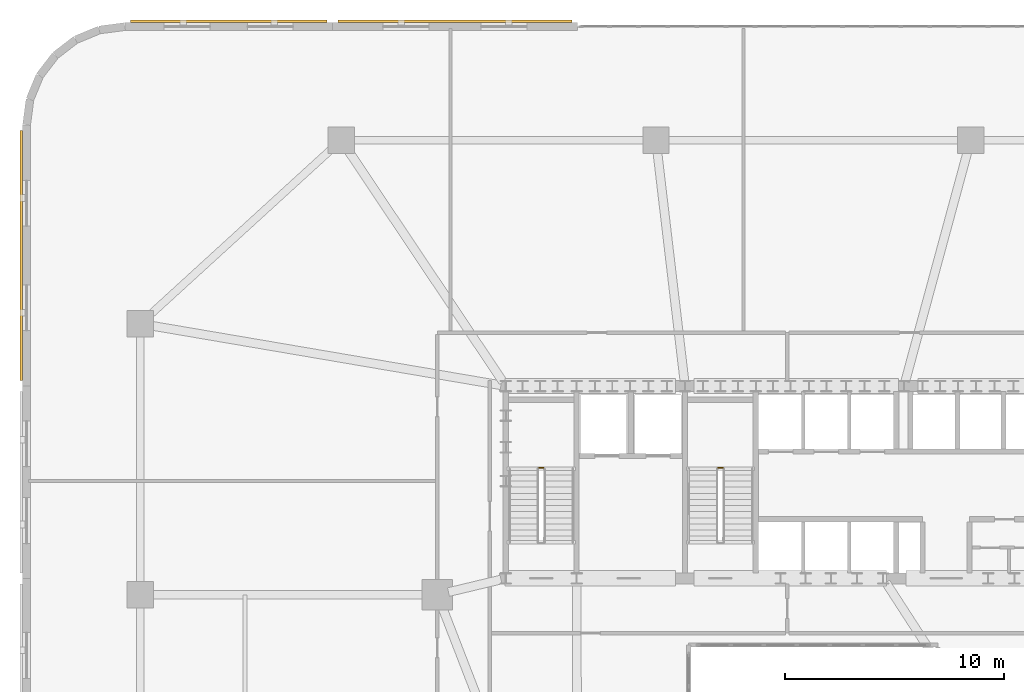
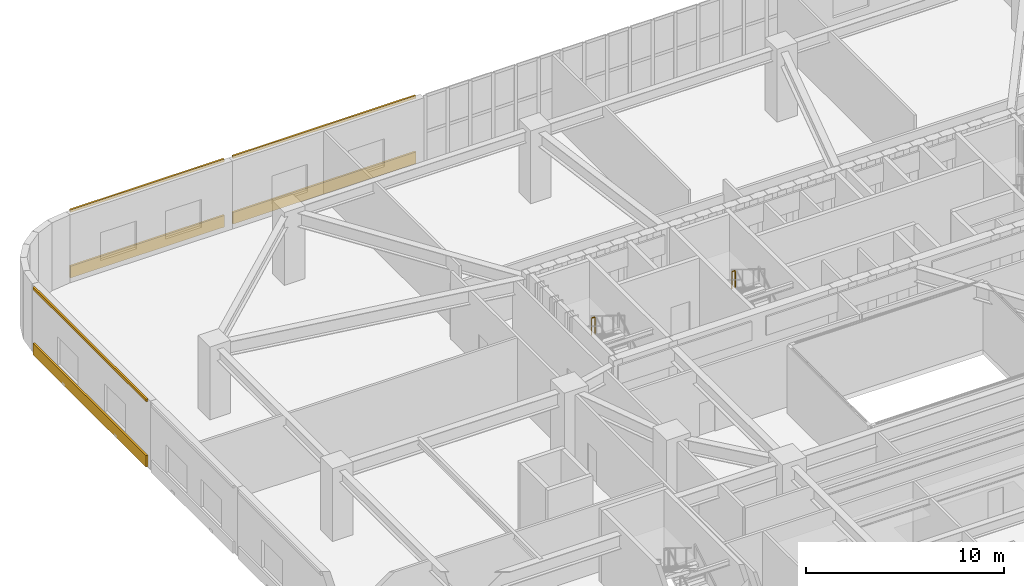
# One storey, part 23 of 25: 6 coverings, 2 railings.
"""IFC4 building model written with IfcOpenShell, lengths in metres."""

import ifcopenshell
import ifcopenshell.guid

model = None  # the IFC model being written
_history = None  # IfcOwnerHistory: only IFC2X3 demands one
_inside = {}  # id of a spatial element -> (the spatial element, [elements in it])
_under = {}  # id of a project, library or spatial element -> (it, [spatial elements below it])
_declared = {}  # id of a project -> (the project, [libraries it declares])
_typed = {}  # id of a type object -> (the type object, [elements of that type])
_made_of = {}  # id of a material, layer set ... -> (it, [elements and type objects made of it])


def new_model(schema):
    """Start an empty IFC model of exactly this schema.

    Asked for "IFC4X3", IfcOpenShell would pick the latest addendum, in which some entities
    have other attributes; the version numbers below select the first issue.
    IFC2X3 requires an IfcOwnerHistory on every rooted entity: one is made here for all.
    """
    global model, _history
    if schema == "IFC4X3":
        model = ifcopenshell.file(schema_version=(4, 3, 0, 0))
    else:
        model = ifcopenshell.file(schema=schema)
    _inside.clear()
    _under.clear()
    _declared.clear()
    _typed.clear()
    _made_of.clear()
    _history = None
    if model.schema == "IFC2X3":
        org = make("IfcOrganization", Name="unknown")
        user = make(
            "IfcPersonAndOrganization",
            ThePerson=make("IfcPerson", FamilyName="unknown"),
            TheOrganization=org,
        )
        app = make(
            "IfcApplication",
            ApplicationDeveloper=org,
            Version="unknown",
            ApplicationFullName="unknown",
            ApplicationIdentifier="unknown",
        )
        _history = make(
            "IfcOwnerHistory",
            OwningUser=user,
            OwningApplication=app,
            ChangeAction="ADDED",
            CreationDate=0,
        )
    return model


def make(cls, **values):
    """One entity of the class cls with the attributes given. An attribute that is None is left unset."""
    return model.create_entity(
        cls, **{name: value for name, value in values.items() if value is not None}
    )


def rooted(cls, **values):
    """An entity with a GlobalId (a new one), such as an element, a storey or a relation."""
    return make(cls, GlobalId=ifcopenshell.guid.new(), OwnerHistory=_history, **values)


def si_unit(unit_type, name, prefix=None):
    """IfcSIUnit, for example si_unit("LENGTHUNIT", "METRE", prefix="MILLI")."""
    return make("IfcSIUnit", UnitType=unit_type, Prefix=prefix, Name=name)


def assignment(units):
    """IfcUnitAssignment: the units of a project."""
    return None if units is None else make("IfcUnitAssignment", Units=units)


def point(xyz):
    """IfcCartesianPoint."""
    return None if xyz is None else make("IfcCartesianPoint", Coordinates=xyz)


def direction(xyz):
    """IfcDirection."""
    return None if xyz is None else make("IfcDirection", DirectionRatios=xyz)


def frame(location, z_axis=None, x_axis=None):
    """IfcAxis2Placement3D, a coordinate frame: its origin and axes. An axis left out is left unset."""
    return make(
        "IfcAxis2Placement3D",
        Location=point(location),
        Axis=direction(z_axis),
        RefDirection=direction(x_axis),
    )


def frame_2d(location, x_axis=None):
    """IfcAxis2Placement2D, a coordinate frame in the plane: its origin and x axis."""
    return make(
        "IfcAxis2Placement2D", Location=point(location), RefDirection=direction(x_axis)
    )


def origin():
    """The frame at (0, 0, 0) with its axes left unset."""
    return frame((0.0, 0.0, 0.0))


def origin_2d():
    """The frame at (0, 0) in the plane with its x axis left unset."""
    return frame_2d((0.0, 0.0))


def place(relative_to, where):
    """IfcLocalPlacement: puts the frame where relative to a parent placement (None: the world)."""
    return make(
        "IfcLocalPlacement", PlacementRelTo=relative_to, RelativePlacement=where
    )


def context(
    kind, dimensions, precision=None, world=None, true_north=None, identifier=None
):
    """IfcGeometricRepresentationContext, for example the 3D "Model" context."""
    return make(
        "IfcGeometricRepresentationContext",
        ContextIdentifier=identifier,
        ContextType=kind,
        CoordinateSpaceDimension=dimensions,
        Precision=precision,
        WorldCoordinateSystem=world,
        TrueNorth=true_north,
    )


def subcontext(parent, identifier, kind, view, scale=None):
    """IfcGeometricRepresentationSubContext, for example "Body" below "Model"."""
    return make(
        "IfcGeometricRepresentationSubContext",
        ContextIdentifier=identifier,
        ContextType=kind,
        ParentContext=parent,
        TargetScale=scale,
        TargetView=view,
    )


def project(units=None, contexts=None):
    """IfcProject with its units and contexts."""
    return rooted(
        "IfcProject",
        Name="project",
        RepresentationContexts=contexts,
        UnitsInContext=assignment(units),
    )


def spatial(cls, under=None, at=None, **own):
    """A site, building, storey or space (cls), placed at a placement, below another one or the project."""
    s = rooted(cls, ObjectPlacement=at, **own)
    if under is not None:
        _under.setdefault(under.id(), (under, []))[1].append(s)
    return s


def polyline(points):
    """IfcPolyline through the points."""
    return make("IfcPolyline", Points=[point(p) for p in points])


def profile(cls, at=None, kind="AREA", **sizes):
    """A parametric profile (cls). Its sizes go by their IFC names, for example OverallWidth=200.0."""
    return make(cls, ProfileType=kind, Position=at, **sizes)


def rectangle(**sizes):
    """IfcRectangleProfileDef."""
    return profile("IfcRectangleProfileDef", **sizes)


def outline(outer, holes=None, kind="AREA"):
    """IfcArbitraryClosedProfileDef: a profile drawn as a closed curve; with holes, ...WithVoids."""
    if holes is None:
        return make("IfcArbitraryClosedProfileDef", ProfileType=kind, OuterCurve=outer)
    return make(
        "IfcArbitraryProfileDefWithVoids",
        ProfileType=kind,
        OuterCurve=outer,
        InnerCurves=holes,
    )


def extrude(swept, where, along, depth):
    """IfcExtrudedAreaSolid: the profile swept, set in the frame where, extruded along a direction by depth."""
    return make(
        "IfcExtrudedAreaSolid",
        SweptArea=swept,
        Position=where,
        ExtrudedDirection=direction(along),
        Depth=depth,
    )


def shape(context_of_items, identifier, shape_type, items):
    """IfcShapeRepresentation: the items that make up one representation, for example the "Body"."""
    return make(
        "IfcShapeRepresentation",
        ContextOfItems=context_of_items,
        RepresentationIdentifier=identifier,
        RepresentationType=shape_type,
        Items=items,
    )


def material(Name=None, Category=None):
    """IfcMaterial."""
    return make("IfcMaterial", Name=Name, Category=Category)


def layer(
    of_material, thickness, ventilated=None, Name=None, Category=None, Priority=None
):
    """IfcMaterialLayer: one layer of a wall or slab, of a material (None: an air gap)."""
    return make(
        "IfcMaterialLayer",
        Material=of_material,
        LayerThickness=thickness,
        IsVentilated=ventilated,
        Name=Name,
        Category=Category,
        Priority=Priority,
    )


def layer_set(layers, Name=None):
    """IfcMaterialLayerSet."""
    return make("IfcMaterialLayerSet", MaterialLayers=layers, LayerSetName=Name)


def made_of(thing, what):
    """Note that an element or type object is made of a material, layer set ...; save() writes the relation."""
    if what is not None:
        _made_of.setdefault(what.id(), (what, []))[1].append(thing)
    return thing


def type_object(cls, material=None, **own):
    """A type object (cls), such as IfcWallType, which elements share."""
    return made_of(rooted(cls, **own), material)


def element(
    cls,
    number,
    at=None,
    inside=None,
    cuts=None,
    type_object=None,
    material=None,
    context=None,
    identifier="Body",
    shape_type=None,
    held_by="IfcProductDefinitionShape",
    body=None,
    shapes=None,
    **own,
):
    """One element of the class cls, such as IfcWall. Its Tag is "e" and its number.

    at: its placement. inside: the storey or other place that contains it. cuts: it is an
    opening in that element (IfcRelVoidsElement). A single representation is given by context,
    identifier, shape_type and body (its items); several are given by shapes. held_by: the class
    of the entity that holds the representations. save() writes the other relations.
    """
    e = rooted(cls, Tag="e%d" % number, ObjectPlacement=at, **own)
    if body is not None:
        shapes = [shape(context, identifier, shape_type, body)]
    if shapes is not None:
        e.Representation = make(held_by, Representations=shapes)
    if inside is not None:
        _inside.setdefault(inside.id(), (inside, []))[1].append(e)
    if cuts is not None:
        rooted(
            "IfcRelVoidsElement", RelatingBuildingElement=cuts, RelatedOpeningElement=e
        )
    if type_object is not None:
        _typed.setdefault(type_object.id(), (type_object, []))[1].append(e)
    return made_of(e, material)


def aggregate(whole, parts):
    """IfcRelAggregates: a whole, such as a stair, and the parts it consists of."""
    return rooted("IfcRelAggregates", RelatingObject=whole, RelatedObjects=parts)


def save(model, path):
    """Write the relations noted so far, then the file.

    IfcRelAggregates (storeys below a building ...), IfcRelContainedInSpatialStructure (elements
    in a storey), IfcRelDefinesByType, IfcRelAssociatesMaterial and IfcRelDeclares: one each for
    every whole, place, type object, material and project.
    """
    for whole, parts in _under.values():
        aggregate(whole, parts)
    for where, things in _inside.values():
        rooted(
            "IfcRelContainedInSpatialStructure",
            RelatedElements=things,
            RelatingStructure=where,
        )
    for kind, things in _typed.values():
        rooted("IfcRelDefinesByType", RelatedObjects=things, RelatingType=kind)
    for what, things in _made_of.values():
        rooted("IfcRelAssociatesMaterial", RelatedObjects=things, RelatingMaterial=what)
    for by, libraries in _declared.values():
        rooted("IfcRelDeclares", RelatingContext=by, RelatedDefinitions=libraries)
    model.write(path)


model = new_model("IFC4")

# Units and contexts
model_context = context("Model", 3, precision=1e-05, world=origin(), true_north=direction((0.0, 1.0)))
body_context = subcontext(model_context, "Body", "Model", "MODEL_VIEW")
ifc_project = project(units=[si_unit("LENGTHUNIT", "METRE"), si_unit("AREAUNIT", "SQUARE_METRE"), si_unit("VOLUMEUNIT", "CUBIC_METRE"), si_unit("PLANEANGLEUNIT", "RADIAN"), si_unit("MASSUNIT", "GRAM", prefix="KILO")], contexts=[model_context])

# Site, building, storey
site_placement = place(None, origin())
site = spatial("IfcSite", under=ifc_project, at=site_placement, CompositionType="ELEMENT")
building_placement = place(site_placement, origin())
building = spatial("IfcBuilding", under=site, at=building_placement, Name="Haldorwick Loom Tower", CompositionType="ELEMENT")
storey_placement = place(building_placement, frame((0.0, 0.0, 15.0)))
storey = spatial("IfcBuildingStorey", under=building, at=storey_placement, Name="L03", CompositionType="ELEMENT", Elevation=15.0)

# Coverings
ifc_material_1 = material(Name="Corbelled Pressed Clay Face Brick Veneer", Category="masonry")
ifc_layer = layer(ifc_material_1, 0.110107421875, Name="Corbelled Pressed Clay Face Brick Veneer", Category="masonry")
ifc_layer_set = layer_set([ifc_layer], Name="Corbelled Pressed Clay Face Brick Veneer")
covering_type = type_object("IfcCoveringType", Name="ARC-COV-BRICK110", PredefinedType="CLADDING", material=ifc_layer_set)
covering_1_placement = place(storey_placement, origin())
element("IfcCovering", 1, at=covering_1_placement, inside=storey, type_object=covering_type, Name="L03 Sill Face-Brick Spandrel 20", PredefinedType="CLADDING", context=body_context, shape_type="SweptSolid", body=[
    extrude(outline(polyline([(24.949951171875, 52.2900390625), (14.25, 52.2900390625), (14.25, 52.179931640625), (24.949951171875, 52.179931640625), (24.949951171875, 52.2900390625)])), origin(), (0.0, 0.0, 1.0), 0.719970703125),
])
covering_2_placement = place(storey_placement, frame((0.0, 0.0, 4.0400390625)))
element("IfcCovering", 2, at=covering_2_placement, inside=storey, type_object=covering_type, Name="L03 Head Face-Brick Lintel Band 20", PredefinedType="CLADDING", context=body_context, shape_type="SweptSolid", body=[
    extrude(outline(polyline([(24.949951171875, 52.2900390625), (14.25, 52.2900390625), (14.25, 52.179931640625), (24.949951171875, 52.179931640625), (24.949951171875, 52.2900390625)])), origin(), (0.0, 0.0, 1.0), 0.159912109375),
])
covering_3_placement = place(storey_placement, origin())
element("IfcCovering", 3, at=covering_3_placement, inside=storey, type_object=covering_type, Name="L03 Sill Face-Brick Spandrel 21", PredefinedType="CLADDING", context=body_context, shape_type="SweptSolid", body=[
    extrude(outline(polyline([(13.75, 52.2900390625), (4.75, 52.2900390625), (4.75, 52.179931640625), (13.75, 52.179931640625), (13.75, 52.2900390625)])), origin(), (0.0, 0.0, 1.0), 0.719970703125),
])
covering_4_placement = place(storey_placement, frame((0.0, 0.0, 4.0400390625)))
element("IfcCovering", 4, at=covering_4_placement, inside=storey, type_object=covering_type, Name="L03 Head Face-Brick Lintel Band 21", PredefinedType="CLADDING", context=body_context, shape_type="SweptSolid", body=[
    extrude(outline(polyline([(13.75, 52.2900390625), (4.75, 52.2900390625), (4.75, 52.179931640625), (13.75, 52.179931640625), (13.75, 52.2900390625)])), origin(), (0.0, 0.0, 1.0), 0.159912109375),
])
covering_5_placement = place(storey_placement, origin())
element("IfcCovering", 5, at=covering_5_placement, inside=storey, type_object=covering_type, Name="L03 Sill Face-Brick Spandrel 28", PredefinedType="CLADDING", context=body_context, shape_type="SweptSolid", body=[
    extrude(outline(polyline([(-0.2900390625, 47.25), (-0.2900390625, 35.800048828125), (-0.179931640625, 35.800048828125), (-0.179931640625, 47.25), (-0.2900390625, 47.25)])), origin(), (0.0, 0.0, 1.0), 0.719970703125),
])
covering_6_placement = place(storey_placement, frame((0.0, 0.0, 4.0400390625)))
element("IfcCovering", 6, at=covering_6_placement, inside=storey, type_object=covering_type, Name="L03 Head Face-Brick Lintel Band 28", PredefinedType="CLADDING", context=body_context, shape_type="SweptSolid", body=[
    extrude(outline(polyline([(-0.2900390625, 47.25), (-0.2900390625, 35.800048828125), (-0.179931640625, 35.800048828125), (-0.179931640625, 47.25), (-0.2900390625, 47.25)])), origin(), (0.0, 0.0, 1.0), 0.159912109375),
])

# Railings
ifc_material_2 = material(Name="Steel CSA G40.21 350W", Category="steel")
railing_type = type_object("IfcRailingType", Name="ARC-RLG-GUARD112", PredefinedType="GUARDRAIL", material=ifc_material_2)
railing_1_placement = place(storey_placement, frame((23.64990234375, 31.81005859375, 2.25)))
element("IfcRailing", 7, at=railing_1_placement, inside=storey, type_object=railing_type, Name="L03 ST-01 stair guard 2", PredefinedType="GUARDRAIL", context=body_context, shape_type="SweptSolid", body=[
    extrude(rectangle(XDim=0.048095703125, YDim=0.048095703125, at=origin_2d()), frame((0.0, 0.0, 1.076171875), z_axis=(-1.0, 0.0, 0.0), x_axis=(0.0, -1.0, 0.0)), (0.0, 0.0, 1.0), 0.199951171875),
    extrude(rectangle(XDim=0.0419921875, YDim=0.0419921875, at=origin_2d()), origin(), (0.0, 0.0, 1.0), 1.052001953125),
    extrude(rectangle(XDim=0.0419921875, YDim=0.0419921875, at=origin_2d()), frame((-0.199951171875, 0.0, 0.0)), (0.0, 0.0, 1.0), 1.052001953125),
])
railing_2_placement = place(storey_placement, frame((31.85009765625, 31.81005859375, 2.25)))
element("IfcRailing", 8, at=railing_2_placement, inside=storey, type_object=railing_type, Name="L03 ST-03 stair guard 2", PredefinedType="GUARDRAIL", context=body_context, shape_type="SweptSolid", body=[
    extrude(rectangle(XDim=0.048095703125, YDim=0.048095703125, at=origin_2d()), frame((0.0, 0.0, 1.076171875), z_axis=(-1.0, 0.0, 0.0), x_axis=(0.0, -1.0, 0.0)), (0.0, 0.0, 1.0), 0.2001953125),
    extrude(rectangle(XDim=0.0419921875, YDim=0.0419921875, at=origin_2d()), origin(), (0.0, 0.0, 1.0), 1.052001953125),
    extrude(rectangle(XDim=0.0419921875, YDim=0.0419921875, at=origin_2d()), frame((-0.2001953125, 0.0, 0.0)), (0.0, 0.0, 1.0), 1.052001953125),
])

save(model, "model.ifc")
